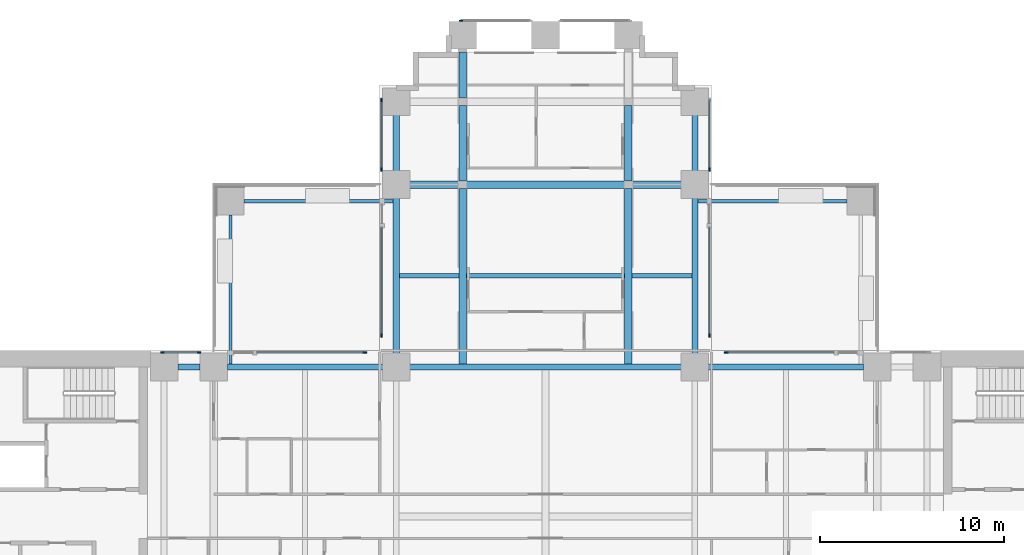
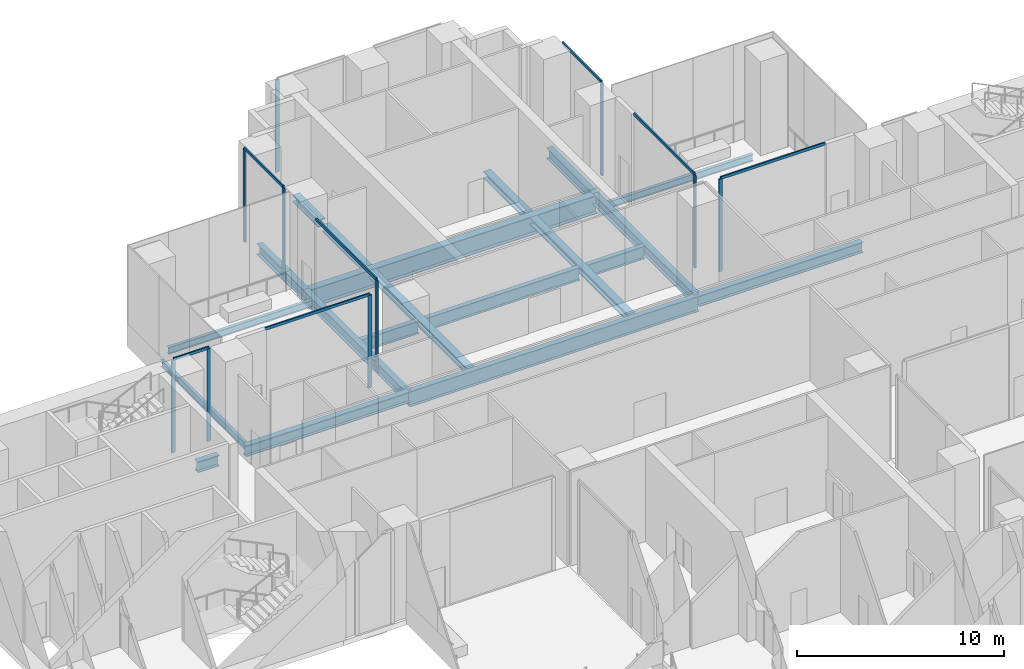
# One storey, part 4 of 17: 20 beams, 17 members, 8 elements without a shape of their own.
"""IFC4 building model written with IfcOpenShell, lengths in metres."""

import ifcopenshell
import ifcopenshell.guid

model = None  # the IFC model being written
_history = None  # IfcOwnerHistory: only IFC2X3 demands one
_inside = {}  # id of a spatial element -> (the spatial element, [elements in it])
_under = {}  # id of a project, library or spatial element -> (it, [spatial elements below it])
_declared = {}  # id of a project -> (the project, [libraries it declares])
_typed = {}  # id of a type object -> (the type object, [elements of that type])
_made_of = {}  # id of a material, layer set ... -> (it, [elements and type objects made of it])


def new_model(schema):
    """Start an empty IFC model of exactly this schema.

    Asked for "IFC4X3", IfcOpenShell would pick the latest addendum, in which some entities
    have other attributes; the version numbers below select the first issue.
    IFC2X3 requires an IfcOwnerHistory on every rooted entity: one is made here for all.
    """
    global model, _history
    if schema == "IFC4X3":
        model = ifcopenshell.file(schema_version=(4, 3, 0, 0))
    else:
        model = ifcopenshell.file(schema=schema)
    _inside.clear()
    _under.clear()
    _declared.clear()
    _typed.clear()
    _made_of.clear()
    _history = None
    if model.schema == "IFC2X3":
        org = make("IfcOrganization", Name="unknown")
        user = make(
            "IfcPersonAndOrganization",
            ThePerson=make("IfcPerson", FamilyName="unknown"),
            TheOrganization=org,
        )
        app = make(
            "IfcApplication",
            ApplicationDeveloper=org,
            Version="unknown",
            ApplicationFullName="unknown",
            ApplicationIdentifier="unknown",
        )
        _history = make(
            "IfcOwnerHistory",
            OwningUser=user,
            OwningApplication=app,
            ChangeAction="ADDED",
            CreationDate=0,
        )
    return model


def make(cls, **values):
    """One entity of the class cls with the attributes given. An attribute that is None is left unset."""
    return model.create_entity(
        cls, **{name: value for name, value in values.items() if value is not None}
    )


def rooted(cls, **values):
    """An entity with a GlobalId (a new one), such as an element, a storey or a relation."""
    return make(cls, GlobalId=ifcopenshell.guid.new(), OwnerHistory=_history, **values)


def si_unit(unit_type, name, prefix=None):
    """IfcSIUnit, for example si_unit("LENGTHUNIT", "METRE", prefix="MILLI")."""
    return make("IfcSIUnit", UnitType=unit_type, Prefix=prefix, Name=name)


def assignment(units):
    """IfcUnitAssignment: the units of a project."""
    return None if units is None else make("IfcUnitAssignment", Units=units)


def point(xyz):
    """IfcCartesianPoint."""
    return None if xyz is None else make("IfcCartesianPoint", Coordinates=xyz)


def direction(xyz):
    """IfcDirection."""
    return None if xyz is None else make("IfcDirection", DirectionRatios=xyz)


def frame(location, z_axis=None, x_axis=None):
    """IfcAxis2Placement3D, a coordinate frame: its origin and axes. An axis left out is left unset."""
    return make(
        "IfcAxis2Placement3D",
        Location=point(location),
        Axis=direction(z_axis),
        RefDirection=direction(x_axis),
    )


def frame_2d(location, x_axis=None):
    """IfcAxis2Placement2D, a coordinate frame in the plane: its origin and x axis."""
    return make(
        "IfcAxis2Placement2D", Location=point(location), RefDirection=direction(x_axis)
    )


def origin():
    """The frame at (0, 0, 0) with its axes left unset."""
    return frame((0.0, 0.0, 0.0))


def origin_2d():
    """The frame at (0, 0) in the plane with its x axis left unset."""
    return frame_2d((0.0, 0.0))


def place(relative_to, where):
    """IfcLocalPlacement: puts the frame where relative to a parent placement (None: the world)."""
    return make(
        "IfcLocalPlacement", PlacementRelTo=relative_to, RelativePlacement=where
    )


def context(
    kind, dimensions, precision=None, world=None, true_north=None, identifier=None
):
    """IfcGeometricRepresentationContext, for example the 3D "Model" context."""
    return make(
        "IfcGeometricRepresentationContext",
        ContextIdentifier=identifier,
        ContextType=kind,
        CoordinateSpaceDimension=dimensions,
        Precision=precision,
        WorldCoordinateSystem=world,
        TrueNorth=true_north,
    )


def subcontext(parent, identifier, kind, view, scale=None):
    """IfcGeometricRepresentationSubContext, for example "Body" below "Model"."""
    return make(
        "IfcGeometricRepresentationSubContext",
        ContextIdentifier=identifier,
        ContextType=kind,
        ParentContext=parent,
        TargetScale=scale,
        TargetView=view,
    )


def project(units=None, contexts=None):
    """IfcProject with its units and contexts."""
    return rooted(
        "IfcProject",
        Name="project",
        RepresentationContexts=contexts,
        UnitsInContext=assignment(units),
    )


def spatial(cls, under=None, at=None, **own):
    """A site, building, storey or space (cls), placed at a placement, below another one or the project."""
    s = rooted(cls, ObjectPlacement=at, **own)
    if under is not None:
        _under.setdefault(under.id(), (under, []))[1].append(s)
    return s


def profile(cls, at=None, kind="AREA", **sizes):
    """A parametric profile (cls). Its sizes go by their IFC names, for example OverallWidth=200.0."""
    return make(cls, ProfileType=kind, Position=at, **sizes)


def rectangle(**sizes):
    """IfcRectangleProfileDef."""
    return profile("IfcRectangleProfileDef", **sizes)


def i_section(**sizes):
    """IfcIShapeProfileDef."""
    return profile("IfcIShapeProfileDef", **sizes)


def extrude(swept, where, along, depth):
    """IfcExtrudedAreaSolid: the profile swept, set in the frame where, extruded along a direction by depth."""
    return make(
        "IfcExtrudedAreaSolid",
        SweptArea=swept,
        Position=where,
        ExtrudedDirection=direction(along),
        Depth=depth,
    )


def shape(context_of_items, identifier, shape_type, items):
    """IfcShapeRepresentation: the items that make up one representation, for example the "Body"."""
    return make(
        "IfcShapeRepresentation",
        ContextOfItems=context_of_items,
        RepresentationIdentifier=identifier,
        RepresentationType=shape_type,
        Items=items,
    )


def material(Name=None, Category=None):
    """IfcMaterial."""
    return make("IfcMaterial", Name=Name, Category=Category)


def material_profile(
    of_material, cross_section, Name=None, Category=None, Priority=None
):
    """IfcMaterialProfile: a cross section and its material."""
    return make(
        "IfcMaterialProfile",
        Name=Name,
        Material=of_material,
        Profile=cross_section,
        Priority=Priority,
        Category=Category,
    )


def profile_set(profiles, Name=None, composite=None):
    """IfcMaterialProfileSet."""
    return make(
        "IfcMaterialProfileSet",
        Name=Name,
        MaterialProfiles=profiles,
        CompositeProfile=composite,
    )


def made_of(thing, what):
    """Note that an element or type object is made of a material, layer set ...; save() writes the relation."""
    if what is not None:
        _made_of.setdefault(what.id(), (what, []))[1].append(thing)
    return thing


def type_object(cls, material=None, **own):
    """A type object (cls), such as IfcWallType, which elements share."""
    return made_of(rooted(cls, **own), material)


def element(
    cls,
    number,
    at=None,
    inside=None,
    cuts=None,
    type_object=None,
    material=None,
    context=None,
    identifier="Body",
    shape_type=None,
    held_by="IfcProductDefinitionShape",
    body=None,
    shapes=None,
    **own,
):
    """One element of the class cls, such as IfcWall. Its Tag is "e" and its number.

    at: its placement. inside: the storey or other place that contains it. cuts: it is an
    opening in that element (IfcRelVoidsElement). A single representation is given by context,
    identifier, shape_type and body (its items); several are given by shapes. held_by: the class
    of the entity that holds the representations. save() writes the other relations.
    """
    e = rooted(cls, Tag="e%d" % number, ObjectPlacement=at, **own)
    if body is not None:
        shapes = [shape(context, identifier, shape_type, body)]
    if shapes is not None:
        e.Representation = make(held_by, Representations=shapes)
    if inside is not None:
        _inside.setdefault(inside.id(), (inside, []))[1].append(e)
    if cuts is not None:
        rooted(
            "IfcRelVoidsElement", RelatingBuildingElement=cuts, RelatedOpeningElement=e
        )
    if type_object is not None:
        _typed.setdefault(type_object.id(), (type_object, []))[1].append(e)
    return made_of(e, material)


def aggregate(whole, parts):
    """IfcRelAggregates: a whole, such as a stair, and the parts it consists of."""
    return rooted("IfcRelAggregates", RelatingObject=whole, RelatedObjects=parts)


def save(model, path):
    """Write the relations noted so far, then the file.

    IfcRelAggregates (storeys below a building ...), IfcRelContainedInSpatialStructure (elements
    in a storey), IfcRelDefinesByType, IfcRelAssociatesMaterial and IfcRelDeclares: one each for
    every whole, place, type object, material and project.
    """
    for whole, parts in _under.values():
        aggregate(whole, parts)
    for where, things in _inside.values():
        rooted(
            "IfcRelContainedInSpatialStructure",
            RelatedElements=things,
            RelatingStructure=where,
        )
    for kind, things in _typed.values():
        rooted("IfcRelDefinesByType", RelatedObjects=things, RelatingType=kind)
    for what, things in _made_of.values():
        rooted("IfcRelAssociatesMaterial", RelatedObjects=things, RelatingMaterial=what)
    for by, libraries in _declared.values():
        rooted("IfcRelDeclares", RelatingContext=by, RelatedDefinitions=libraries)
    model.write(path)


model = new_model("IFC4")

# Units and contexts
model_context = context("Model", 3, precision=1e-05, world=origin(), true_north=direction((0.0, 1.0)))
body_context = subcontext(model_context, "Body", "Model", "MODEL_VIEW")
ifc_project = project(units=[si_unit("LENGTHUNIT", "METRE"), si_unit("AREAUNIT", "SQUARE_METRE"), si_unit("VOLUMEUNIT", "CUBIC_METRE"), si_unit("PLANEANGLEUNIT", "RADIAN"), si_unit("MASSUNIT", "GRAM", prefix="KILO")], contexts=[model_context])

# Site, building, storey
site_placement = place(None, origin())
site = spatial("IfcSite", under=ifc_project, at=site_placement, CompositionType="ELEMENT")
building_placement = place(site_placement, origin())
building = spatial("IfcBuilding", under=site, at=building_placement, Name="Perihelion Cross Residences", CompositionType="ELEMENT")
storey_placement = place(building_placement, frame((0.0, 0.0, 21.0)))
storey = spatial("IfcBuildingStorey", under=building, at=storey_placement, Name="L02", CompositionType="ELEMENT", Elevation=21.0)

# Curtain wall, member
ifc_material_1 = material(Name="Bronze anodised aluminium, tinted glazing", Category="aluminium")
curtain_wall_type = type_object("IfcCurtainWallType", Name="CW2", PredefinedType="NOTDEFINED", material=ifc_material_1)
curtain_wall_1_placement = place(storey_placement, origin())
curtain_wall_1 = element("IfcCurtainWall", 1, at=curtain_wall_1_placement, inside=storey, type_object=curtain_wall_type, Name="Curtain wall CW2 L02 east side north bay 2", PredefinedType="NOTDEFINED")
ifc_material_2 = material(Name="Bronze anodised aluminium", Category="aluminium")
ifc_material_profile_1 = material_profile(ifc_material_2, rectangle(XDim=0.080078125, YDim=0.199951171875, at=origin_2d()), Name="CW2 mullion")
ifc_profile_set_1 = profile_set([ifc_material_profile_1], Name="Bronze anodised aluminium")
member_type_1 = type_object("IfcMemberType", Name="CW2 mullion", PredefinedType="MULLION", material=ifc_profile_set_1)
member_1_placement = place(storey_placement, frame((9.81005859375, 8.889892578125, 0.0), z_axis=(0.0, 0.0, 1.0), x_axis=(0.0, -1.0, 0.0)))
member_1 = element("IfcMember", 2, at=member_1_placement, type_object=member_type_1, Name="CW2 mullion 2", PredefinedType="MULLION", context=body_context, shape_type="SweptSolid", body=[
    extrude(rectangle(XDim=0.080078125, YDim=0.199951171875, at=origin_2d()), origin(), (0.0, 0.0, 1.0), 5.469970703125),
])

curtain_wall_2_placement = place(storey_placement, origin())
curtain_wall_2 = element("IfcCurtainWall", 3, at=curtain_wall_2_placement, inside=storey, type_object=curtain_wall_type, Name="Curtain wall CW2 L02 north side east bay 1", PredefinedType="NOTDEFINED")
member_2_placement = place(storey_placement, frame((8.889892578125, 9.81005859375, 0.0), z_axis=(0.0, 0.0, 1.0), x_axis=(-1.0, 0.0, 0.0)))
member_2 = element("IfcMember", 4, at=member_2_placement, type_object=member_type_1, Name="CW2 mullion 1", PredefinedType="MULLION", context=body_context, shape_type="SweptSolid", body=[
    extrude(rectangle(XDim=0.080078125, YDim=0.199951171875, at=origin_2d()), origin(), (0.0, 0.0, 1.0), 5.469970703125),
])

curtain_wall_3_placement = place(storey_placement, origin())
curtain_wall_3 = element("IfcCurtainWall", 5, at=curtain_wall_3_placement, inside=storey, type_object=curtain_wall_type, Name="Curtain wall CW2 L02 north side east bay 2", PredefinedType="NOTDEFINED")
member_3_placement = place(storey_placement, frame((8.889892578125, 18.81005859375, 0.0), z_axis=(0.0, 0.0, 1.0), x_axis=(-1.0, 0.0, 0.0)))
member_3 = element("IfcMember", 6, at=member_3_placement, type_object=member_type_1, Name="CW2 mullion 1", PredefinedType="MULLION", context=body_context, shape_type="SweptSolid", body=[
    extrude(rectangle(XDim=0.080078125, YDim=0.199951171875, at=origin_2d()), origin(), (0.0, 0.0, 1.0), 5.469970703125),
])

curtain_wall_4_placement = place(storey_placement, origin())
curtain_wall_4 = element("IfcCurtainWall", 7, at=curtain_wall_4_placement, inside=storey, type_object=curtain_wall_type, Name="Curtain wall CW2 L02 north tip north bay 2", PredefinedType="NOTDEFINED")
member_4_placement = place(storey_placement, frame((-4.590087890625, 26.889892578125, 0.0), z_axis=(0.0, 0.0, 1.0), x_axis=(0.0, -1.0, 0.0)))
member_4 = element("IfcMember", 8, at=member_4_placement, type_object=member_type_1, Name="CW2 mullion 2", PredefinedType="MULLION", context=body_context, shape_type="SweptSolid", body=[
    extrude(rectangle(XDim=0.080078125, YDim=0.199951171875, at=origin_2d()), origin(), (0.0, 0.0, 1.0), 5.469970703125),
])
aggregate(curtain_wall_4, [member_4])

# Curtain wall, members
curtain_wall_5_placement = place(storey_placement, origin())
curtain_wall_5 = element("IfcCurtainWall", 9, at=curtain_wall_5_placement, inside=storey, type_object=curtain_wall_type, Name="Curtain wall CW2 L02 north side west bay 1", PredefinedType="NOTDEFINED")
member_5_placement = place(storey_placement, frame((-8.889892578125, 22.590087890625, 0.0), z_axis=(0.0, 0.0, 1.0), x_axis=(1.0, 0.0, 0.0)))
member_5 = element("IfcMember", 10, at=member_5_placement, type_object=member_type_1, Name="CW2 mullion 1", PredefinedType="MULLION", context=body_context, shape_type="SweptSolid", body=[
    extrude(rectangle(XDim=0.080078125, YDim=0.199951171875, at=origin_2d()), origin(), (0.0, 0.0, 1.0), 5.469970703125),
])
member_6_placement = place(storey_placement, frame((-8.889892578125, 18.81005859375, 0.0), z_axis=(0.0, 0.0, 1.0), x_axis=(1.0, 0.0, 0.0)))
member_6 = element("IfcMember", 11, at=member_6_placement, type_object=member_type_1, Name="CW2 mullion 2", PredefinedType="MULLION", context=body_context, shape_type="SweptSolid", body=[
    extrude(rectangle(XDim=0.080078125, YDim=0.199951171875, at=origin_2d()), origin(), (0.0, 0.0, 1.0), 5.469970703125),
])

# Curtain wall, member
curtain_wall_6_placement = place(storey_placement, origin())
curtain_wall_6 = element("IfcCurtainWall", 12, at=curtain_wall_6_placement, inside=storey, type_object=curtain_wall_type, Name="Curtain wall CW2 L02 north side west bay 2", PredefinedType="NOTDEFINED")
member_7_placement = place(storey_placement, frame((-8.889892578125, 9.81005859375, 0.0), z_axis=(0.0, 0.0, 1.0), x_axis=(1.0, 0.0, 0.0)))
member_7 = element("IfcMember", 13, at=member_7_placement, type_object=member_type_1, Name="CW2 mullion 2", PredefinedType="MULLION", context=body_context, shape_type="SweptSolid", body=[
    extrude(rectangle(XDim=0.080078125, YDim=0.199951171875, at=origin_2d()), origin(), (0.0, 0.0, 1.0), 5.469970703125),
])

curtain_wall_7_placement = place(storey_placement, origin())
curtain_wall_7 = element("IfcCurtainWall", 14, at=curtain_wall_7_placement, inside=storey, type_object=curtain_wall_type, Name="Curtain wall CW2 L02 west side north bay 1", PredefinedType="NOTDEFINED")
member_8_placement = place(storey_placement, frame((-9.81005859375, 8.889892578125, 0.0), z_axis=(0.0, 0.0, 1.0), x_axis=(0.0, -1.0, 0.0)))
member_8 = element("IfcMember", 15, at=member_8_placement, type_object=member_type_1, Name="CW2 mullion 1", PredefinedType="MULLION", context=body_context, shape_type="SweptSolid", body=[
    extrude(rectangle(XDim=0.080078125, YDim=0.199951171875, at=origin_2d()), origin(), (0.0, 0.0, 1.0), 5.469970703125),
])

# Curtain wall, members
curtain_wall_8_placement = place(storey_placement, origin())
curtain_wall_8 = element("IfcCurtainWall", 16, at=curtain_wall_8_placement, inside=storey, type_object=curtain_wall_type, Name="Curtain wall CW2 L02 west side north bay 2", PredefinedType="NOTDEFINED")
member_9_placement = place(storey_placement, frame((-18.81005859375, 8.889892578125, 0.0), z_axis=(0.0, 0.0, 1.0), x_axis=(0.0, -1.0, 0.0)))
member_9 = element("IfcMember", 17, at=member_9_placement, type_object=member_type_1, Name="CW2 mullion 1", PredefinedType="MULLION", context=body_context, shape_type="SweptSolid", body=[
    extrude(rectangle(XDim=0.080078125, YDim=0.199951171875, at=origin_2d()), origin(), (0.0, 0.0, 1.0), 5.469970703125),
])
member_10_placement = place(storey_placement, frame((-20.7900390625, 8.889892578125, 0.0), z_axis=(0.0, 0.0, 1.0), x_axis=(0.0, -1.0, 0.0)))
member_10 = element("IfcMember", 18, at=member_10_placement, type_object=member_type_1, Name="CW2 mullion 2", PredefinedType="MULLION", context=body_context, shape_type="SweptSolid", body=[
    extrude(rectangle(XDim=0.080078125, YDim=0.199951171875, at=origin_2d()), origin(), (0.0, 0.0, 1.0), 5.469970703125),
])

# Member
ifc_material_3 = material(Name="Bronze anodised aluminium", Category="aluminium")
ifc_material_profile_2 = material_profile(ifc_material_3, rectangle(XDim=0.080078125, YDim=0.159912109375, at=origin_2d()), Name="CW2 transom")
ifc_profile_set_2 = profile_set([ifc_material_profile_2], Name="Bronze anodised aluminium")
member_type_2 = type_object("IfcMemberType", Name="CW2 transom", PredefinedType="USERDEFINED", material=ifc_profile_set_2)
member_11_placement = place(storey_placement, frame((15.64990234375, 8.889892578125, 5.510009765625), z_axis=(-1.0, 0.0, 0.0), x_axis=(0.0, -1.0, 0.0)))
member_11 = element("IfcMember", 19, at=member_11_placement, type_object=member_type_2, Name="CW2 head transom", ObjectType="TRANSOM", PredefinedType="USERDEFINED", context=body_context, shape_type="SweptSolid", body=[
    extrude(rectangle(XDim=0.080078125, YDim=0.159912109375, at=origin_2d()), origin(), (0.0, 0.0, 1.0), 5.83984375),
])

aggregate(curtain_wall_1, [member_1, member_11])

member_12_placement = place(storey_placement, frame((8.889892578125, 9.81005859375, 5.510009765625), z_axis=(0.0, 1.0, 0.0), x_axis=(-1.0, 0.0, 0.0)))
member_12 = element("IfcMember", 20, at=member_12_placement, type_object=member_type_2, Name="CW2 head transom", ObjectType="TRANSOM", PredefinedType="USERDEFINED", context=body_context, shape_type="SweptSolid", body=[
    extrude(rectangle(XDim=0.080078125, YDim=0.159912109375, at=origin_2d()), origin(), (0.0, 0.0, 1.0), 5.83984375),
])

aggregate(curtain_wall_2, [member_2, member_12])

member_13_placement = place(storey_placement, frame((8.889892578125, 18.81005859375, 5.510009765625), z_axis=(0.0, 1.0, 0.0), x_axis=(-1.0, 0.0, 0.0)))
member_13 = element("IfcMember", 21, at=member_13_placement, type_object=member_type_2, Name="CW2 head transom", ObjectType="TRANSOM", PredefinedType="USERDEFINED", context=body_context, shape_type="SweptSolid", body=[
    extrude(rectangle(XDim=0.080078125, YDim=0.159912109375, at=origin_2d()), origin(), (0.0, 0.0, 1.0), 3.780029296875),
])

aggregate(curtain_wall_3, [member_3, member_13])

member_14_placement = place(storey_placement, frame((-8.889892578125, 22.590087890625, 5.510009765625), z_axis=(0.0, -1.0, 0.0), x_axis=(1.0, 0.0, 0.0)))
member_14 = element("IfcMember", 22, at=member_14_placement, type_object=member_type_2, Name="CW2 head transom", ObjectType="TRANSOM", PredefinedType="USERDEFINED", context=body_context, shape_type="SweptSolid", body=[
    extrude(rectangle(XDim=0.080078125, YDim=0.159912109375, at=origin_2d()), origin(), (0.0, 0.0, 1.0), 3.780029296875),
])

aggregate(curtain_wall_5, [member_5, member_6, member_14])

member_15_placement = place(storey_placement, frame((-8.889892578125, 15.64990234375, 5.510009765625), z_axis=(0.0, -1.0, 0.0), x_axis=(1.0, 0.0, 0.0)))
member_15 = element("IfcMember", 23, at=member_15_placement, type_object=member_type_2, Name="CW2 head transom", ObjectType="TRANSOM", PredefinedType="USERDEFINED", context=body_context, shape_type="SweptSolid", body=[
    extrude(rectangle(XDim=0.080078125, YDim=0.159912109375, at=origin_2d()), origin(), (0.0, 0.0, 1.0), 5.83984375),
])

aggregate(curtain_wall_6, [member_7, member_15])

member_16_placement = place(storey_placement, frame((-9.81005859375, 8.889892578125, 5.510009765625), z_axis=(-1.0, 0.0, 0.0), x_axis=(0.0, -1.0, 0.0)))
member_16 = element("IfcMember", 24, at=member_16_placement, type_object=member_type_2, Name="CW2 head transom", ObjectType="TRANSOM", PredefinedType="USERDEFINED", context=body_context, shape_type="SweptSolid", body=[
    extrude(rectangle(XDim=0.080078125, YDim=0.159912109375, at=origin_2d()), origin(), (0.0, 0.0, 1.0), 5.83984375),
])

aggregate(curtain_wall_7, [member_8, member_16])

member_17_placement = place(storey_placement, frame((-18.81005859375, 8.889892578125, 5.510009765625), z_axis=(-1.0, 0.0, 0.0), x_axis=(0.0, -1.0, 0.0)))
member_17 = element("IfcMember", 25, at=member_17_placement, type_object=member_type_2, Name="CW2 head transom", ObjectType="TRANSOM", PredefinedType="USERDEFINED", context=body_context, shape_type="SweptSolid", body=[
    extrude(rectangle(XDim=0.080078125, YDim=0.159912109375, at=origin_2d()), origin(), (0.0, 0.0, 1.0), 1.97998046875),
])

aggregate(curtain_wall_8, [member_9, member_10, member_17])

# Beams
ifc_material_4 = material(Name="Steel S355", Category="steel")
ifc_material_profile_3 = material_profile(ifc_material_4, i_section(OverallWidth=0.406005859375, OverallDepth=0.4169921875, WebThickness=0.030029296875, FlangeThickness=0.048095703125, at=origin_2d()), Name="W360x382")
ifc_profile_set_3 = profile_set([ifc_material_profile_3], Name="Steel S355")
beam_type_1 = type_object("IfcBeamType", Name="Core edge beam W360x382", PredefinedType="BEAM", material=ifc_profile_set_3)
beam_1_placement = place(storey_placement, frame((4.5, 8.25244140625, -0.508544921875), z_axis=(0.0, 1.0, 0.0), x_axis=(-1.0, 0.0, 0.0)))
element("IfcBeam", 26, at=beam_1_placement, inside=storey, type_object=beam_type_1, Name="Core edge beam TB3 L02 spine no. 10", PredefinedType="BEAM", context=body_context, shape_type="SweptSolid", body=[
    extrude(i_section(OverallWidth=0.406005859375, OverallDepth=0.4169921875, WebThickness=0.030029296875, FlangeThickness=0.048095703125, at=origin_2d()), origin(), (0.0, 0.0, 1.0), 9.547119140625),
])
beam_2_placement = place(storey_placement, frame((4.5, 18.200439453125, -0.508544921875), z_axis=(0.0, 1.0, 0.0), x_axis=(-1.0, 0.0, 0.0)))
element("IfcBeam", 27, at=beam_2_placement, inside=storey, type_object=beam_type_1, Name="Core edge beam TB3 L02 spine no. 11", PredefinedType="BEAM", context=body_context, shape_type="SweptSolid", body=[
    extrude(i_section(OverallWidth=0.406005859375, OverallDepth=0.4169921875, WebThickness=0.030029296875, FlangeThickness=0.048095703125, at=origin_2d()), origin(), (0.0, 0.0, 1.0), 4.09912109375),
])
beam_3_placement = place(storey_placement, frame((-4.5, 8.25244140625, -0.508544921875), z_axis=(0.0, 1.0, 0.0), x_axis=(-1.0, 0.0, 0.0)))
element("IfcBeam", 28, at=beam_3_placement, inside=storey, type_object=beam_type_1, Name="Core edge beam TB3 L02 spine no. 4", PredefinedType="BEAM", context=body_context, shape_type="SweptSolid", body=[
    extrude(i_section(OverallWidth=0.406005859375, OverallDepth=0.4169921875, WebThickness=0.030029296875, FlangeThickness=0.048095703125, at=origin_2d()), origin(), (0.0, 0.0, 1.0), 9.547119140625),
])
beam_4_placement = place(storey_placement, frame((-4.5, 18.200439453125, -0.508544921875), z_axis=(0.0, 1.0, 0.0), x_axis=(-1.0, 0.0, 0.0)))
element("IfcBeam", 29, at=beam_4_placement, inside=storey, type_object=beam_type_1, Name="Core edge beam TB3 L02 spine no. 5", PredefinedType="BEAM", context=body_context, shape_type="SweptSolid", body=[
    extrude(i_section(OverallWidth=0.406005859375, OverallDepth=0.4169921875, WebThickness=0.030029296875, FlangeThickness=0.048095703125, at=origin_2d()), origin(), (0.0, 0.0, 1.0), 4.09912109375),
])
beam_5_placement = place(storey_placement, frame((-4.5, 22.700439453125, -0.508544921875), z_axis=(0.0, 1.0, 0.0), x_axis=(-1.0, 0.0, 0.0)))
element("IfcBeam", 30, at=beam_5_placement, inside=storey, type_object=beam_type_1, Name="Core edge beam TB3 L02 spine no. 6", PredefinedType="BEAM", context=body_context, shape_type="SweptSolid", body=[
    extrude(i_section(OverallWidth=0.406005859375, OverallDepth=0.4169921875, WebThickness=0.030029296875, FlangeThickness=0.048095703125, at=origin_2d()), origin(), (0.0, 0.0, 1.0), 2.49951171875),
])
ifc_material_5 = material(Name="Steel S355", Category="steel")
ifc_material_profile_4 = material_profile(ifc_material_5, i_section(OverallWidth=0.177978515625, OverallDepth=0.406005859375, WebThickness=0.0078125, FlangeThickness=0.0126953125, at=origin_2d()), Name="W410x60")
ifc_profile_set_4 = profile_set([ifc_material_profile_4], Name="Steel S355")
beam_type_2 = type_object("IfcBeamType", Name="Core edge beam W410x60", PredefinedType="BEAM", material=ifc_profile_set_4)
for number, where, z_axis, x_axis, name in (
    (31, (8.264892578125, 17.10009765625, -0.5029296875), (1.0, 0.0, 0.0), (0.0, 1.0, 0.0), "Core edge beam TB2 L02 corner no. 8"),
    (32, (-17.10009765625, 8.264892578125, -0.5029296875), (0.0, 1.0, 0.0), (-1.0, 0.0, 0.0), "Core edge beam TB2 L02 corner no. 3"),
    (33, (-8.264892578125, 17.10009765625, -0.5029296875), (-1.0, 0.0, 0.0), (0.0, -1.0, 0.0), "Core edge beam TB2 L02 corner no. 4"),
):
    element("IfcBeam", number, at=place(storey_placement, frame(where, z_axis=z_axis, x_axis=x_axis)), inside=storey, type_object=beam_type_2, Name=name, PredefinedType="BEAM", context=body_context, shape_type="SweptSolid", body=[
        extrude(i_section(OverallWidth=0.177978515625, OverallDepth=0.406005859375, WebThickness=0.0078125, FlangeThickness=0.0126953125, at=origin_2d()), origin(), (0.0, 0.0, 1.0), 8.085205078125),
    ])
ifc_material_6 = material(Name="Steel S355", Category="steel")
ifc_material_profile_5 = material_profile(ifc_material_6, i_section(OverallWidth=0.330078125, OverallDepth=0.635009765625, WebThickness=0.017822265625, FlangeThickness=0.031005859375, at=origin_2d()), Name="W610x241")
ifc_profile_set_5 = profile_set([ifc_material_profile_5], Name="Steel S355")
beam_type_3 = type_object("IfcBeamType", Name="Edge beam W610x241", PredefinedType="SPANDREL", material=ifc_profile_set_5)
beam_6_placement = place(storey_placement, frame((17.25, 8.10009765625, -0.617431640625), z_axis=(-1.0, 0.0, 0.0), x_axis=(0.0, -1.0, 0.0)))
element("IfcBeam", 34, at=beam_6_placement, inside=storey, type_object=beam_type_3, Name="Edge beam SB1 L02 no. 10", PredefinedType="SPANDREL", context=body_context, shape_type="SweptSolid", body=[
    extrude(i_section(OverallWidth=0.330078125, OverallDepth=0.635009765625, WebThickness=0.017822265625, FlangeThickness=0.031005859375, at=origin_2d()), origin(), (0.0, 0.0, 1.0), 9.14990234375),
])
beam_7_placement = place(storey_placement, frame((8.10009765625, 8.10009765625, -0.617431640625), z_axis=(0.0, 1.0, 0.0), x_axis=(-1.0, 0.0, 0.0)))
element("IfcBeam", 35, at=beam_7_placement, inside=storey, type_object=beam_type_3, Name="Edge beam SB1 L02 no. 16", PredefinedType="SPANDREL", context=body_context, shape_type="SweptSolid", body=[
    extrude(i_section(OverallWidth=0.330078125, OverallDepth=0.635009765625, WebThickness=0.017822265625, FlangeThickness=0.031005859375, at=origin_2d()), origin(), (0.0, 0.0, 1.0), 9.89990234375),
])
for number, where, z_axis, x_axis, name in (
    (36, (8.10009765625, 18.0, -0.617431640625), (0.0, 1.0, 0.0), (-1.0, 0.0, 0.0), "Edge beam SB1 L02 no. 15"),
    (37, (-8.10009765625, 22.5, -0.617431640625), (0.0, -1.0, 0.0), (1.0, 0.0, 0.0), "Edge beam SB1 L02 no. 7"),
):
    element("IfcBeam", number, at=place(storey_placement, frame(where, z_axis=z_axis, x_axis=x_axis)), inside=storey, type_object=beam_type_3, Name=name, PredefinedType="SPANDREL", context=body_context, shape_type="SweptSolid", body=[
        extrude(i_section(OverallWidth=0.330078125, OverallDepth=0.635009765625, WebThickness=0.017822265625, FlangeThickness=0.031005859375, at=origin_2d()), origin(), (0.0, 0.0, 1.0), 4.5),
    ])
beam_8_placement = place(storey_placement, frame((-8.10009765625, 18.0, -0.617431640625), z_axis=(0.0, -1.0, 0.0), x_axis=(1.0, 0.0, 0.0)))
element("IfcBeam", 38, at=beam_8_placement, inside=storey, type_object=beam_type_3, Name="Edge beam SB1 L02 no. 6", PredefinedType="SPANDREL", context=body_context, shape_type="SweptSolid", body=[
    extrude(i_section(OverallWidth=0.330078125, OverallDepth=0.635009765625, WebThickness=0.017822265625, FlangeThickness=0.031005859375, at=origin_2d()), origin(), (0.0, 0.0, 1.0), 9.89990234375),
])
beam_9_placement = place(storey_placement, frame((-8.10009765625, 8.10009765625, -0.617431640625), z_axis=(-1.0, 0.0, 0.0), x_axis=(0.0, -1.0, 0.0)))
element("IfcBeam", 39, at=beam_9_placement, inside=storey, type_object=beam_type_3, Name="Edge beam SB1 L02 no. 8", PredefinedType="SPANDREL", context=body_context, shape_type="SweptSolid", body=[
    extrude(i_section(OverallWidth=0.330078125, OverallDepth=0.635009765625, WebThickness=0.017822265625, FlangeThickness=0.031005859375, at=origin_2d()), origin(), (0.0, 0.0, 1.0), 9.14990234375),
])
beam_10_placement = place(storey_placement, frame((-18.75, 8.10009765625, -0.617431640625), z_axis=(-1.0, 0.0, 0.0), x_axis=(0.0, -1.0, 0.0)))
element("IfcBeam", 40, at=beam_10_placement, inside=storey, type_object=beam_type_3, Name="Edge beam SB1 L02 no. 2", PredefinedType="SPANDREL", context=body_context, shape_type="SweptSolid", body=[
    extrude(i_section(OverallWidth=0.330078125, OverallDepth=0.635009765625, WebThickness=0.017822265625, FlangeThickness=0.031005859375, at=origin_2d()), origin(), (0.0, 0.0, 1.0), 1.199951171875),
])
ifc_material_7 = material(Name="Steel S355", Category="steel")
ifc_material_profile_6 = material_profile(ifc_material_7, i_section(OverallWidth=0.26708984375, OverallDepth=0.75390625, WebThickness=0.01318359375, FlangeThickness=0.01708984375, at=origin_2d()), Name="W760x147")
ifc_profile_set_6 = profile_set([ifc_material_profile_6], Name="Steel S355")
beam_type_4 = type_object("IfcBeamType", Name="Floor joist W760x147", PredefinedType="JOIST", material=ifc_profile_set_6)
beam_11_placement = place(storey_placement, frame((-7.93505859375, 13.050048828125, -0.677001953125), z_axis=(1.0, 0.0, 0.0), x_axis=(0.0, 1.0, 0.0)))
element("IfcBeam", 41, at=beam_11_placement, inside=storey, type_object=beam_type_4, Name="Joist J2 L02 no. 4", PredefinedType="JOIST", context=body_context, shape_type="SweptSolid", body=[
    extrude(i_section(OverallWidth=0.26708984375, OverallDepth=0.75390625, WebThickness=0.01318359375, FlangeThickness=0.01708984375, at=origin_2d()), origin(), (0.0, 0.0, 1.0), 3.232177734375),
])
beam_12_placement = place(storey_placement, frame((-4.297119140625, 13.050048828125, -0.677001953125), z_axis=(1.0, 0.0, 0.0), x_axis=(0.0, 1.0, 0.0)))
element("IfcBeam", 42, at=beam_12_placement, inside=storey, type_object=beam_type_4, Name="Joist J2 L02 no. 5", PredefinedType="JOIST", context=body_context, shape_type="SweptSolid", body=[
    extrude(i_section(OverallWidth=0.26708984375, OverallDepth=0.75390625, WebThickness=0.01318359375, FlangeThickness=0.01708984375, at=origin_2d()), origin(), (0.0, 0.0, 1.0), 8.59423828125),
])
beam_13_placement = place(storey_placement, frame((4.702880859375, 13.050048828125, -0.677001953125), z_axis=(1.0, 0.0, 0.0), x_axis=(0.0, 1.0, 0.0)))
element("IfcBeam", 43, at=beam_13_placement, inside=storey, type_object=beam_type_4, Name="Joist J2 L02 no. 6", PredefinedType="JOIST", context=body_context, shape_type="SweptSolid", body=[
    extrude(i_section(OverallWidth=0.26708984375, OverallDepth=0.75390625, WebThickness=0.01318359375, FlangeThickness=0.01708984375, at=origin_2d()), origin(), (0.0, 0.0, 1.0), 3.232177734375),
])
ifc_material_8 = material(Name="Steel S355", Category="steel")
ifc_material_profile_7 = material_profile(ifc_material_8, i_section(OverallWidth=0.304931640625, OverallDepth=0.904052734375, WebThickness=0.01513671875, FlangeThickness=0.02001953125, at=origin_2d()), Name="W920x201")
ifc_profile_set_7 = profile_set([ifc_material_profile_7], Name="Steel S355")
beam_type_5 = type_object("IfcBeamType", Name="Hub ring girder W920x201", PredefinedType="BEAM", material=ifc_profile_set_7)
beam_14_placement = place(storey_placement, frame((8.10009765625, 8.10009765625, -0.751953125), z_axis=(-1.0, 0.0, 0.0), x_axis=(0.0, -1.0, 0.0)))
element("IfcBeam", 44, at=beam_14_placement, inside=storey, type_object=beam_type_5, Name="Hub ring girder RG1 L02 no. 4", PredefinedType="BEAM", context=body_context, shape_type="SweptSolid", body=[
    extrude(i_section(OverallWidth=0.304931640625, OverallDepth=0.904052734375, WebThickness=0.01513671875, FlangeThickness=0.02001953125, at=origin_2d()), origin(), (0.0, 0.0, 1.0), 16.2001953125),
])
ifc_material_9 = material(Name="Steel S355", Category="steel")
ifc_material_profile_8 = material_profile(ifc_material_9, i_section(OverallWidth=0.40087890625, OverallDepth=1.090087890625, WebThickness=0.01806640625, FlangeThickness=0.031005859375, at=origin_2d()), Name="W1100x343")
ifc_profile_set_8 = profile_set([ifc_material_profile_8], Name="Steel S355")
beam_type_6 = type_object("IfcBeamType", Name="Transfer girder W1100x343", PredefinedType="BEAM", material=ifc_profile_set_8)
beam_15_placement = place(storey_placement, frame((-8.10009765625, 18.0, -0.844970703125), z_axis=(1.0, 0.0, 0.0), x_axis=(0.0, 1.0, 0.0)))
element("IfcBeam", 45, at=beam_15_placement, inside=storey, type_object=beam_type_6, Name="Girder TG1 L02 no. 5", PredefinedType="BEAM", context=body_context, shape_type="SweptSolid", body=[
    extrude(i_section(OverallWidth=0.40087890625, OverallDepth=1.090087890625, WebThickness=0.01806640625, FlangeThickness=0.031005859375, at=origin_2d()), origin(), (0.0, 0.0, 1.0), 16.2001953125),
])

save(model, "model.ifc")
